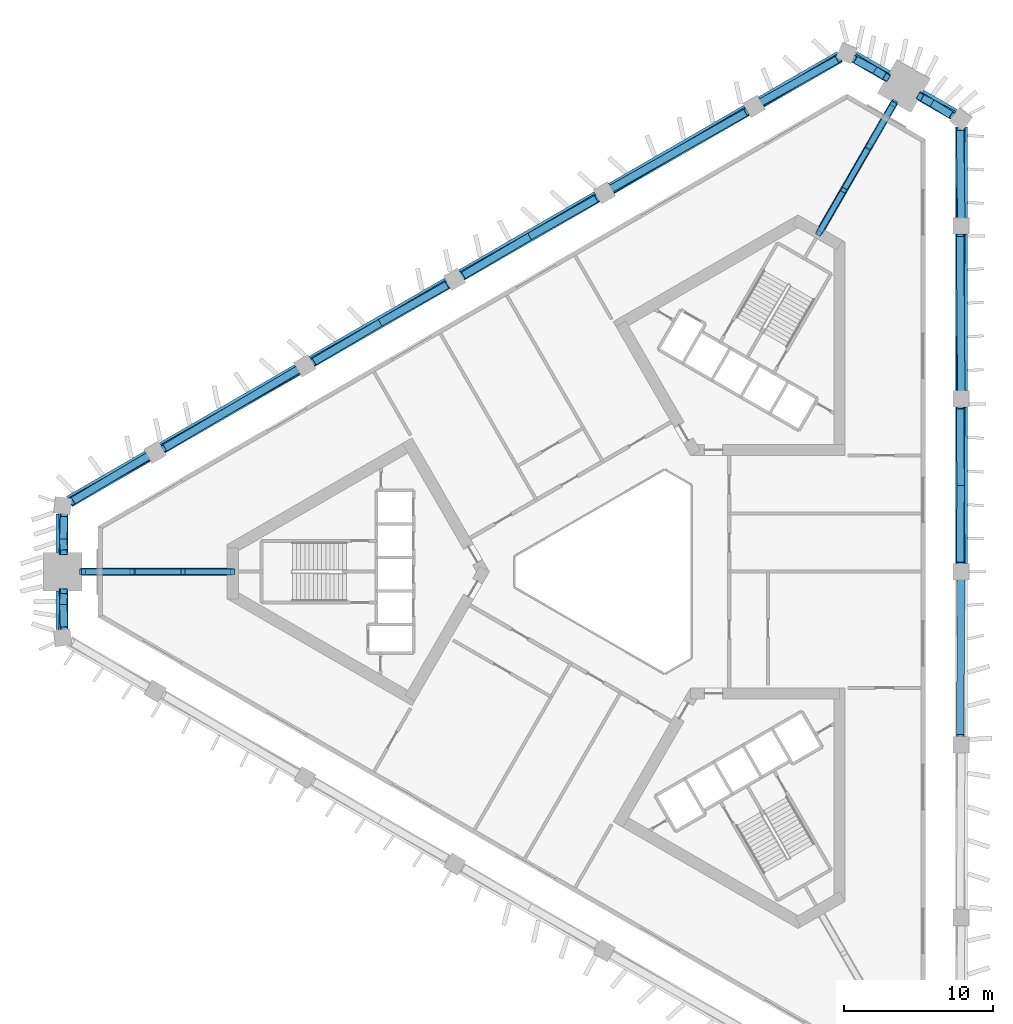
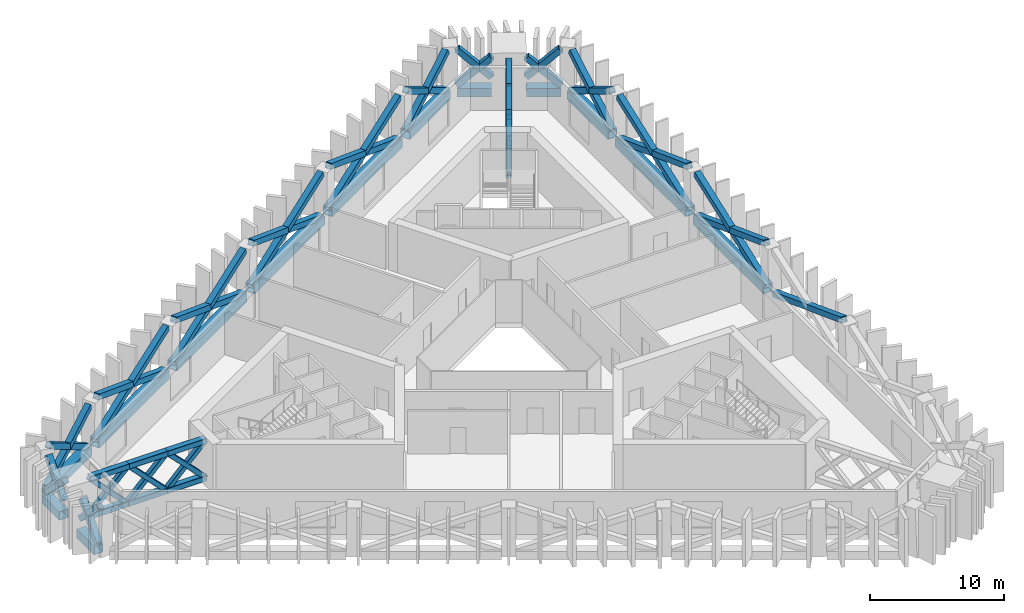
# One storey, part 2 of 9: 64 members.
"""IFC4 building model written with IfcOpenShell, lengths in metres."""

import ifcopenshell
import ifcopenshell.guid

model = None  # the IFC model being written
_history = None  # IfcOwnerHistory: only IFC2X3 demands one
_inside = {}  # id of a spatial element -> (the spatial element, [elements in it])
_under = {}  # id of a project, library or spatial element -> (it, [spatial elements below it])
_declared = {}  # id of a project -> (the project, [libraries it declares])
_typed = {}  # id of a type object -> (the type object, [elements of that type])
_made_of = {}  # id of a material, layer set ... -> (it, [elements and type objects made of it])


def new_model(schema):
    """Start an empty IFC model of exactly this schema.

    Asked for "IFC4X3", IfcOpenShell would pick the latest addendum, in which some entities
    have other attributes; the version numbers below select the first issue.
    IFC2X3 requires an IfcOwnerHistory on every rooted entity: one is made here for all.
    """
    global model, _history
    if schema == "IFC4X3":
        model = ifcopenshell.file(schema_version=(4, 3, 0, 0))
    else:
        model = ifcopenshell.file(schema=schema)
    _inside.clear()
    _under.clear()
    _declared.clear()
    _typed.clear()
    _made_of.clear()
    _history = None
    if model.schema == "IFC2X3":
        org = make("IfcOrganization", Name="unknown")
        user = make(
            "IfcPersonAndOrganization",
            ThePerson=make("IfcPerson", FamilyName="unknown"),
            TheOrganization=org,
        )
        app = make(
            "IfcApplication",
            ApplicationDeveloper=org,
            Version="unknown",
            ApplicationFullName="unknown",
            ApplicationIdentifier="unknown",
        )
        _history = make(
            "IfcOwnerHistory",
            OwningUser=user,
            OwningApplication=app,
            ChangeAction="ADDED",
            CreationDate=0,
        )
    return model


def make(cls, **values):
    """One entity of the class cls with the attributes given. An attribute that is None is left unset."""
    return model.create_entity(
        cls, **{name: value for name, value in values.items() if value is not None}
    )


def rooted(cls, **values):
    """An entity with a GlobalId (a new one), such as an element, a storey or a relation."""
    return make(cls, GlobalId=ifcopenshell.guid.new(), OwnerHistory=_history, **values)


def si_unit(unit_type, name, prefix=None):
    """IfcSIUnit, for example si_unit("LENGTHUNIT", "METRE", prefix="MILLI")."""
    return make("IfcSIUnit", UnitType=unit_type, Prefix=prefix, Name=name)


def assignment(units):
    """IfcUnitAssignment: the units of a project."""
    return None if units is None else make("IfcUnitAssignment", Units=units)


def point(xyz):
    """IfcCartesianPoint."""
    return None if xyz is None else make("IfcCartesianPoint", Coordinates=xyz)


def direction(xyz):
    """IfcDirection."""
    return None if xyz is None else make("IfcDirection", DirectionRatios=xyz)


def frame(location, z_axis=None, x_axis=None):
    """IfcAxis2Placement3D, a coordinate frame: its origin and axes. An axis left out is left unset."""
    return make(
        "IfcAxis2Placement3D",
        Location=point(location),
        Axis=direction(z_axis),
        RefDirection=direction(x_axis),
    )


def frame_2d(location, x_axis=None):
    """IfcAxis2Placement2D, a coordinate frame in the plane: its origin and x axis."""
    return make(
        "IfcAxis2Placement2D", Location=point(location), RefDirection=direction(x_axis)
    )


def origin():
    """The frame at (0, 0, 0) with its axes left unset."""
    return frame((0.0, 0.0, 0.0))


def origin_2d():
    """The frame at (0, 0) in the plane with its x axis left unset."""
    return frame_2d((0.0, 0.0))


def place(relative_to, where):
    """IfcLocalPlacement: puts the frame where relative to a parent placement (None: the world)."""
    return make(
        "IfcLocalPlacement", PlacementRelTo=relative_to, RelativePlacement=where
    )


def context(
    kind, dimensions, precision=None, world=None, true_north=None, identifier=None
):
    """IfcGeometricRepresentationContext, for example the 3D "Model" context."""
    return make(
        "IfcGeometricRepresentationContext",
        ContextIdentifier=identifier,
        ContextType=kind,
        CoordinateSpaceDimension=dimensions,
        Precision=precision,
        WorldCoordinateSystem=world,
        TrueNorth=true_north,
    )


def subcontext(parent, identifier, kind, view, scale=None):
    """IfcGeometricRepresentationSubContext, for example "Body" below "Model"."""
    return make(
        "IfcGeometricRepresentationSubContext",
        ContextIdentifier=identifier,
        ContextType=kind,
        ParentContext=parent,
        TargetScale=scale,
        TargetView=view,
    )


def project(units=None, contexts=None):
    """IfcProject with its units and contexts."""
    return rooted(
        "IfcProject",
        Name="project",
        RepresentationContexts=contexts,
        UnitsInContext=assignment(units),
    )


def spatial(cls, under=None, at=None, **own):
    """A site, building, storey or space (cls), placed at a placement, below another one or the project."""
    s = rooted(cls, ObjectPlacement=at, **own)
    if under is not None:
        _under.setdefault(under.id(), (under, []))[1].append(s)
    return s


def profile(cls, at=None, kind="AREA", **sizes):
    """A parametric profile (cls). Its sizes go by their IFC names, for example OverallWidth=200.0."""
    return make(cls, ProfileType=kind, Position=at, **sizes)


def hollow_rectangle(**sizes):
    """IfcRectangleHollowProfileDef."""
    return profile("IfcRectangleHollowProfileDef", **sizes)


def extrude(swept, where, along, depth):
    """IfcExtrudedAreaSolid: the profile swept, set in the frame where, extruded along a direction by depth."""
    return make(
        "IfcExtrudedAreaSolid",
        SweptArea=swept,
        Position=where,
        ExtrudedDirection=direction(along),
        Depth=depth,
    )


def shape(context_of_items, identifier, shape_type, items):
    """IfcShapeRepresentation: the items that make up one representation, for example the "Body"."""
    return make(
        "IfcShapeRepresentation",
        ContextOfItems=context_of_items,
        RepresentationIdentifier=identifier,
        RepresentationType=shape_type,
        Items=items,
    )


def material(Name=None, Category=None):
    """IfcMaterial."""
    return make("IfcMaterial", Name=Name, Category=Category)


def material_profile(
    of_material, cross_section, Name=None, Category=None, Priority=None
):
    """IfcMaterialProfile: a cross section and its material."""
    return make(
        "IfcMaterialProfile",
        Name=Name,
        Material=of_material,
        Profile=cross_section,
        Priority=Priority,
        Category=Category,
    )


def profile_set(profiles, Name=None, composite=None):
    """IfcMaterialProfileSet."""
    return make(
        "IfcMaterialProfileSet",
        Name=Name,
        MaterialProfiles=profiles,
        CompositeProfile=composite,
    )


def made_of(thing, what):
    """Note that an element or type object is made of a material, layer set ...; save() writes the relation."""
    if what is not None:
        _made_of.setdefault(what.id(), (what, []))[1].append(thing)
    return thing


def type_object(cls, material=None, **own):
    """A type object (cls), such as IfcWallType, which elements share."""
    return made_of(rooted(cls, **own), material)


def element(
    cls,
    number,
    at=None,
    inside=None,
    cuts=None,
    type_object=None,
    material=None,
    context=None,
    identifier="Body",
    shape_type=None,
    held_by="IfcProductDefinitionShape",
    body=None,
    shapes=None,
    **own,
):
    """One element of the class cls, such as IfcWall. Its Tag is "e" and its number.

    at: its placement. inside: the storey or other place that contains it. cuts: it is an
    opening in that element (IfcRelVoidsElement). A single representation is given by context,
    identifier, shape_type and body (its items); several are given by shapes. held_by: the class
    of the entity that holds the representations. save() writes the other relations.
    """
    e = rooted(cls, Tag="e%d" % number, ObjectPlacement=at, **own)
    if body is not None:
        shapes = [shape(context, identifier, shape_type, body)]
    if shapes is not None:
        e.Representation = make(held_by, Representations=shapes)
    if inside is not None:
        _inside.setdefault(inside.id(), (inside, []))[1].append(e)
    if cuts is not None:
        rooted(
            "IfcRelVoidsElement", RelatingBuildingElement=cuts, RelatedOpeningElement=e
        )
    if type_object is not None:
        _typed.setdefault(type_object.id(), (type_object, []))[1].append(e)
    return made_of(e, material)


def aggregate(whole, parts):
    """IfcRelAggregates: a whole, such as a stair, and the parts it consists of."""
    return rooted("IfcRelAggregates", RelatingObject=whole, RelatedObjects=parts)


def save(model, path):
    """Write the relations noted so far, then the file.

    IfcRelAggregates (storeys below a building ...), IfcRelContainedInSpatialStructure (elements
    in a storey), IfcRelDefinesByType, IfcRelAssociatesMaterial and IfcRelDeclares: one each for
    every whole, place, type object, material and project.
    """
    for whole, parts in _under.values():
        aggregate(whole, parts)
    for where, things in _inside.values():
        rooted(
            "IfcRelContainedInSpatialStructure",
            RelatedElements=things,
            RelatingStructure=where,
        )
    for kind, things in _typed.values():
        rooted("IfcRelDefinesByType", RelatedObjects=things, RelatingType=kind)
    for what, things in _made_of.values():
        rooted("IfcRelAssociatesMaterial", RelatedObjects=things, RelatingMaterial=what)
    for by, libraries in _declared.values():
        rooted("IfcRelDeclares", RelatingContext=by, RelatedDefinitions=libraries)
    model.write(path)


model = new_model("IFC4")

# Units and contexts
model_context = context("Model", 3, precision=1e-05, world=origin(), true_north=direction((0.0, 1.0)))
body_context = subcontext(model_context, "Body", "Model", "MODEL_VIEW")
ifc_project = project(units=[si_unit("LENGTHUNIT", "METRE"), si_unit("AREAUNIT", "SQUARE_METRE"), si_unit("VOLUMEUNIT", "CUBIC_METRE"), si_unit("PLANEANGLEUNIT", "RADIAN"), si_unit("MASSUNIT", "GRAM", prefix="KILO")], contexts=[model_context])

# Site, building, storey
site_placement = place(None, origin())
site = spatial("IfcSite", under=ifc_project, at=site_placement, CompositionType="ELEMENT")
building_placement = place(site_placement, origin())
building = spatial("IfcBuilding", under=site, at=building_placement, Name="Jabali Bay Hotel Tower and Convention Centre", CompositionType="ELEMENT")
storey_placement = place(building_placement, frame((0.0, 0.0, 98.0)))
storey = spatial("IfcBuildingStorey", under=building, at=storey_placement, Name="L23", CompositionType="ELEMENT", Elevation=98.0)

# Members
ifc_material = material(Name="Steel Q420GJC", Category="steel")
ifc_material_profile_1 = material_profile(ifc_material, hollow_rectangle(XDim=0.5, YDim=0.5, WallThickness=0.030029296875, at=origin_2d()), Name="Belt brace 500x500x30")
ifc_profile_set_1 = profile_set([ifc_material_profile_1], Name="Steel Q420GJC")
member_type_1 = type_object("IfcMemberType", Name="Belt brace 500x500x30", PredefinedType="BRACE", material=ifc_profile_set_1)
member_1_placement = place(storey_placement, frame((92.689697265625, 113.238037109375, 1.293212890625), z_axis=(-0.626019317748, 0.332719916783, 0.705263972412), x_axis=(-0.46931709896, -0.883029705403, 0.0)))
element("IfcMember", 1, at=member_1_placement, inside=storey, type_object=member_type_1, Name="Belt brace T2 M1-V2 x1", PredefinedType="BRACE", context=body_context, shape_type="SweptSolid", body=[
    extrude(hollow_rectangle(XDim=0.5, YDim=0.5, WallThickness=0.030029296875, at=origin_2d()), origin(), (0.0, 0.0, 1.0), 3.629150390625),
])
member_2_placement = place(storey_placement, frame((90.464599609375, 114.55322265625, 0.54541015625), z_axis=(0.602075132587, -0.376271823928, 0.704219460992), x_axis=(0.529973483014, 0.848014214092, 0.0)))
element("IfcMember", 2, at=member_2_placement, inside=storey, type_object=member_type_1, Name="Belt brace T2 M1-V2 x2", PredefinedType="BRACE", context=body_context, shape_type="SweptSolid", body=[
    extrude(hollow_rectangle(XDim=0.5, YDim=0.5, WallThickness=0.030029296875, at=origin_2d()), origin(), (0.0, 0.0, 1.0), 3.642578125),
])
member_3_placement = place(storey_placement, frame((89.525390625, 114.563720703125, 0.33251953125), z_axis=(-0.735778033466, -0.436846008192, 0.517490338649), x_axis=(0.510519573034, -0.859866132342, 0.0)))
element("IfcMember", 3, at=member_3_placement, inside=storey, type_object=member_type_1, Name="Belt brace T2 V2-F1.1 x1", PredefinedType="BRACE", context=body_context, shape_type="SweptSolid", body=[
    extrude(hollow_rectangle(XDim=0.5, YDim=0.5, WallThickness=0.030029296875, at=origin_2d()), origin(), (0.0, 0.0, 1.0), 7.21728515625),
])
member_4_placement = place(storey_placement, frame((84.2587890625, 111.52294921875, 0.343017578125), z_axis=(0.74009327792, 0.414943474157, 0.529229490138), x_axis=(-0.489044052531, 0.872259086903, 0.0)))
element("IfcMember", 4, at=member_4_placement, inside=storey, type_object=member_type_1, Name="Belt brace T2 V2-F1.1 x2", PredefinedType="BRACE", context=body_context, shape_type="SweptSolid", body=[
    extrude(hollow_rectangle(XDim=0.5, YDim=0.5, WallThickness=0.030029296875, at=origin_2d()), origin(), (0.0, 0.0, 1.0), 7.017578125),
])
member_5_placement = place(storey_placement, frame((83.3046875, 110.975341796875, 0.20751953125), z_axis=(-0.806685208431, -0.473976220589, 0.352995066274), x_axis=(0.506587711798, -0.862188430829, 0.0)))
element("IfcMember", 5, at=member_5_placement, inside=storey, type_object=member_type_1, Name="Belt brace T2 F1.1-F1.2 x1", PredefinedType="BRACE", context=body_context, shape_type="SweptSolid", body=[
    extrude(hollow_rectangle(XDim=0.5, YDim=0.5, WallThickness=0.030029296875, at=origin_2d()), origin(), (0.0, 0.0, 1.0), 11.288818359375),
])
member_6_placement = place(storey_placement, frame((74.198486328125, 105.7177734375, 0.2099609375), z_axis=(0.812616399817, 0.460834976999, 0.356771230234), x_axis=(-0.49329804104, 0.869860358164, 0.0)))
element("IfcMember", 6, at=member_6_placement, inside=storey, type_object=member_type_1, Name="Belt brace T2 F1.1-F1.2 x2", PredefinedType="BRACE", context=body_context, shape_type="SweptSolid", body=[
    extrude(hollow_rectangle(XDim=0.5, YDim=0.5, WallThickness=0.030029296875, at=origin_2d()), origin(), (0.0, 0.0, 1.0), 11.155517578125),
])
member_7_placement = place(storey_placement, frame((73.24609375, 105.167724609375, 0.208251953125), z_axis=(-0.806267320447, -0.473751257093, 0.354249565111), x_axis=(0.5066040639, -0.862178822774, 0.0)))
element("IfcMember", 7, at=member_7_placement, inside=storey, type_object=member_type_1, Name="Belt brace T2 F1.2-F1.3 x1", PredefinedType="BRACE", context=body_context, shape_type="SweptSolid", body=[
    extrude(hollow_rectangle(XDim=0.5, YDim=0.5, WallThickness=0.030029296875, at=origin_2d()), origin(), (0.0, 0.0, 1.0), 11.24462890625),
])
for number, where, z_axis, x_axis, name in (
    (8, (64.139892578125, 99.910400390625, 0.209228515625), (0.813016816148, 0.461102627878, 0.355510932637), (-0.49333088762, 0.869841730041, 0.0), "Belt brace T2 F1.2-F1.3 x2"),
    (9, (63.187255859375, 99.3603515625, 0.209228515625), (-0.805835633176, -0.473543964919, 0.355506744792), (0.506640934774, -0.86215715691, 0.0), "Belt brace T2 F1.3-F1.4 x1"),
):
    element("IfcMember", number, at=place(storey_placement, frame(where, z_axis=z_axis, x_axis=x_axis)), inside=storey, type_object=member_type_1, Name=name, PredefinedType="BRACE", context=body_context, shape_type="SweptSolid", body=[
        extrude(hollow_rectangle(XDim=0.5, YDim=0.5, WallThickness=0.030029296875, at=origin_2d()), origin(), (0.0, 0.0, 1.0), 11.199951171875),
    ])
member_8_placement = place(storey_placement, frame((54.0810546875, 94.10302734375, 0.208251953125), z_axis=(0.813419956754, 0.461359189117, 0.354253683921), x_axis=(-0.493353477364, 0.869828917876, 0.0)))
element("IfcMember", 10, at=member_8_placement, inside=storey, type_object=member_type_1, Name="Belt brace T2 F1.3-F1.4 x2", PredefinedType="BRACE", context=body_context, shape_type="SweptSolid", body=[
    extrude(hollow_rectangle(XDim=0.5, YDim=0.5, WallThickness=0.030029296875, at=origin_2d()), origin(), (0.0, 0.0, 1.0), 11.244384765625),
])
member_9_placement = place(storey_placement, frame((53.12841796875, 93.552978515625, 0.2099609375), z_axis=(-0.805399021155, -0.473334149331, 0.356773317107), x_axis=(0.506678137464, -0.862135293916, 0.0)))
element("IfcMember", 11, at=member_9_placement, inside=storey, type_object=member_type_1, Name="Belt brace T2 F1.4-F1.5 x1", PredefinedType="BRACE", context=body_context, shape_type="SweptSolid", body=[
    extrude(hollow_rectangle(XDim=0.5, YDim=0.5, WallThickness=0.030029296875, at=origin_2d()), origin(), (0.0, 0.0, 1.0), 11.155517578125),
])
member_10_placement = place(storey_placement, frame((44.022216796875, 88.29541015625, 0.20751953125), z_axis=(0.813809243817, 0.461641565732, 0.352989489173), x_axis=(-0.49340327292, 0.869800672724, 0.0)))
element("IfcMember", 12, at=member_10_placement, inside=storey, type_object=member_type_1, Name="Belt brace T2 F1.4-F1.5 x2", PredefinedType="BRACE", context=body_context, shape_type="SweptSolid", body=[
    extrude(hollow_rectangle(XDim=0.5, YDim=0.5, WallThickness=0.030029296875, at=origin_2d()), origin(), (0.0, 0.0, 1.0), 11.288818359375),
])
member_11_placement = place(storey_placement, frame((43.071044921875, 87.7431640625, 0.343017578125), z_axis=(-0.729399028165, -0.433478579173, 0.529219594412), x_axis=(0.510885438938, -0.859648805199, 0.0)))
element("IfcMember", 13, at=member_11_placement, inside=storey, type_object=member_type_1, Name="Belt brace T2 F1.5-V3 x1", PredefinedType="BRACE", context=body_context, shape_type="SweptSolid", body=[
    extrude(hollow_rectangle(XDim=0.5, YDim=0.5, WallThickness=0.030029296875, at=origin_2d()), origin(), (0.0, 0.0, 1.0), 7.017578125),
])
member_12_placement = place(storey_placement, frame((37.80419921875, 84.70263671875, 0.33251953125), z_axis=(0.746228180201, 0.418746991963, 0.517488608373), x_axis=(-0.489367580593, 0.872077617569, 0.0)))
element("IfcMember", 14, at=member_12_placement, inside=storey, type_object=member_type_1, Name="Belt brace T2 F1.5-V3 x2", PredefinedType="BRACE", context=body_context, shape_type="SweptSolid", body=[
    extrude(hollow_rectangle(XDim=0.5, YDim=0.5, WallThickness=0.030029296875, at=origin_2d()), origin(), (0.0, 0.0, 1.0), 7.21728515625),
])
member_13_placement = place(storey_placement, frame((37.34375, 83.8837890625, 0.54541015625), z_axis=(0.024799432005, -0.709531857297, 0.704236843436), x_axis=(0.999389744102, 0.034930493606, 0.0)))
element("IfcMember", 15, at=member_13_placement, inside=storey, type_object=member_type_1, Name="Belt brace T2 V3-M0 x1", PredefinedType="BRACE", context=body_context, shape_type="SweptSolid", body=[
    extrude(hollow_rectangle(XDim=0.5, YDim=0.5, WallThickness=0.030029296875, at=origin_2d()), origin(), (0.0, 0.0, 1.0), 3.642578125),
])
for number, where, z_axis, x_axis, name in (
    (16, (37.3701171875, 81.29931640625, 1.293212890625), (0.024823117721, 0.708501560525, 0.705272537081), (-0.999386801012, 0.035014596427, 0.0), "Belt brace T2 V3-M0 x2"),
    (17, (37.3701171875, 78.70068359375, 1.293212890625), (0.024823117721, -0.708501560525, 0.705272537081), (0.999386801012, 0.035014596427, 0.0), "Belt brace T2 M0-V4 x1"),
):
    element("IfcMember", number, at=place(storey_placement, frame(where, z_axis=z_axis, x_axis=x_axis)), inside=storey, type_object=member_type_1, Name=name, PredefinedType="BRACE", context=body_context, shape_type="SweptSolid", body=[
        extrude(hollow_rectangle(XDim=0.5, YDim=0.5, WallThickness=0.030029296875, at=origin_2d()), origin(), (0.0, 0.0, 1.0), 3.629150390625),
    ])
member_14_placement = place(storey_placement, frame((37.34375, 76.1162109375, 0.54541015625), z_axis=(0.024799432005, 0.709531857297, 0.704236843436), x_axis=(-0.999389744102, 0.034930493606, 0.0)))
element("IfcMember", 18, at=member_14_placement, inside=storey, type_object=member_type_1, Name="Belt brace T2 M0-V4 x2", PredefinedType="BRACE", context=body_context, shape_type="SweptSolid", body=[
    extrude(hollow_rectangle(XDim=0.5, YDim=0.5, WallThickness=0.030029296875, at=origin_2d()), origin(), (0.0, 0.0, 1.0), 3.642578125),
])
for number, where, z_axis, x_axis, name in (
    (19, (97.6728515625, 79.449951171875, 0.209228515625), (-0.00717163959, -0.934645564439, 0.355508419676), (0.99997056298, -0.007672885585, 0.0), "Belt brace T2 F0.2-F0.3 x2"),
    (20, (97.6728515625, 80.550048828125, 0.209228515625), (-0.00717163959, 0.934645564439, 0.355508419676), (-0.99997056298, -0.007672885585, 0.0), "Belt brace T2 F0.3-F0.4 x1"),
):
    element("IfcMember", number, at=place(storey_placement, frame(where, z_axis=z_axis, x_axis=x_axis)), inside=storey, type_object=member_type_1, Name=name, PredefinedType="BRACE", context=body_context, shape_type="SweptSolid", body=[
        extrude(hollow_rectangle(XDim=0.5, YDim=0.5, WallThickness=0.030029296875, at=origin_2d()), origin(), (0.0, 0.0, 1.0), 11.199951171875),
    ])
member_15_placement = place(storey_placement, frame((97.6728515625, 91.06494140625, 0.208251953125), z_axis=(-0.007143302858, -0.935121309423, 0.354255712567), x_axis=(0.999970824842, -0.007638682147, 0.0)))
element("IfcMember", 21, at=member_15_placement, inside=storey, type_object=member_type_1, Name="Belt brace T2 F0.3-F0.4 x2", PredefinedType="BRACE", context=body_context, shape_type="SweptSolid", body=[
    extrude(hollow_rectangle(XDim=0.5, YDim=0.5, WallThickness=0.030029296875, at=origin_2d()), origin(), (0.0, 0.0, 1.0), 11.244384765625),
])
member_16_placement = place(storey_placement, frame((97.6728515625, 92.164794921875, 0.2099609375), z_axis=(-0.007200188945, 0.934164331715, 0.356770456498), x_axis=(-0.999970297577, -0.007707396694, 0.0)))
element("IfcMember", 22, at=member_16_placement, inside=storey, type_object=member_type_1, Name="Belt brace T2 F0.4-F0.5 x1", PredefinedType="BRACE", context=body_context, shape_type="SweptSolid", body=[
    extrude(hollow_rectangle(XDim=0.5, YDim=0.5, WallThickness=0.030029296875, at=origin_2d()), origin(), (0.0, 0.0, 1.0), 11.155517578125),
])
member_17_placement = place(storey_placement, frame((97.6728515625, 102.6796875, 0.20751953125), z_axis=(-0.007115230863, -0.935598791364, 0.352993307428), x_axis=(0.999971083225, -0.007604782284, 0.0)))
element("IfcMember", 23, at=member_17_placement, inside=storey, type_object=member_type_1, Name="Belt brace T2 F0.4-F0.5 x2", PredefinedType="BRACE", context=body_context, shape_type="SweptSolid", body=[
    extrude(hollow_rectangle(XDim=0.5, YDim=0.5, WallThickness=0.030029296875, at=origin_2d()), origin(), (0.0, 0.0, 1.0), 11.288818359375),
])
member_18_placement = place(storey_placement, frame((97.670166015625, 103.77978515625, 0.343017578125), z_axis=(-0.010680441844, 0.848416727185, 0.529221111819), x_axis=(-0.999920772056, -0.012587676919, 0.0)))
element("IfcMember", 24, at=member_18_placement, inside=storey, type_object=member_type_1, Name="Belt brace T2 F0.5-V1 x1", PredefinedType="BRACE", context=body_context, shape_type="SweptSolid", body=[
    extrude(hollow_rectangle(XDim=0.5, YDim=0.5, WallThickness=0.030029296875, at=origin_2d()), origin(), (0.0, 0.0, 1.0), 7.017578125),
])
member_19_placement = place(storey_placement, frame((97.67041015625, 109.861328125, 0.33251953125), z_axis=(-0.010452312266, -0.855635076937, 0.51747402281), x_axis=(0.999925394818, -0.012214941569, 0.0)))
element("IfcMember", 25, at=member_19_placement, inside=storey, type_object=member_type_1, Name="Belt brace T2 F0.5-V1 x2", PredefinedType="BRACE", context=body_context, shape_type="SweptSolid", body=[
    extrude(hollow_rectangle(XDim=0.5, YDim=0.5, WallThickness=0.030029296875, at=origin_2d()), origin(), (0.0, 0.0, 1.0), 7.217529296875),
])
member_20_placement = place(storey_placement, frame((97.19140625, 110.66943359375, 0.54541015625), z_axis=(-0.626890697319, 0.33325142169, 0.704238271863), x_axis=(-0.469392197542, -0.882989787532, 0.0)))
element("IfcMember", 26, at=member_20_placement, inside=storey, type_object=member_type_1, Name="Belt brace T2 V1-M1 x1", PredefinedType="BRACE", context=body_context, shape_type="SweptSolid", body=[
    extrude(hollow_rectangle(XDim=0.5, YDim=0.5, WallThickness=0.030029296875, at=origin_2d()), origin(), (0.0, 0.0, 1.0), 3.642578125),
])
member_21_placement = place(storey_placement, frame((94.940185546875, 111.938720703125, 1.293212890625), z_axis=(0.601141554318, -0.375780743333, 0.705278430559), x_axis=(0.530067175291, 0.847955653132, 0.0)))
element("IfcMember", 27, at=member_21_placement, inside=storey, type_object=member_type_1, Name="Belt brace T2 V1-M1 x2", PredefinedType="BRACE", context=body_context, shape_type="SweptSolid", body=[
    extrude(hollow_rectangle(XDim=0.5, YDim=0.5, WallThickness=0.030029296875, at=origin_2d()), origin(), (0.0, 0.0, 1.0), 3.629150390625),
])
ifc_material_profile_2 = material_profile(ifc_material, hollow_rectangle(XDim=0.800048828125, YDim=0.800048828125, WallThickness=0.0400390625, at=origin_2d()), Name="Belt chord 800x800x40")
ifc_profile_set_2 = profile_set([ifc_material_profile_2], Name="Steel Q420GJC")
member_type_2 = type_object("IfcMemberType", Name="Belt chord 800x800x40", PredefinedType="CHORD", material=ifc_profile_set_2)
member_22_placement = place(storey_placement, frame((92.7119140625, 113.27783203125, 0.0), z_axis=(-0.866018769109, 0.500011491418, 0.0), x_axis=(-0.500011491418, -0.866018769109, 0.0)))
element("IfcMember", 28, at=member_22_placement, inside=storey, type_object=member_type_2, Name="Belt chord T2 M1-V2", PredefinedType="CHORD", context=body_context, shape_type="SweptSolid", body=[
    extrude(hollow_rectangle(XDim=0.800048828125, YDim=0.800048828125, WallThickness=0.0400390625, at=origin_2d()), origin(), (0.0, 0.0, 1.0), 2.58349609375),
])
member_23_placement = place(storey_placement, frame((89.52197265625, 114.569580078125, 0.0), z_axis=(-0.866018450419, -0.500012043388, 0.0), x_axis=(0.500012043388, -0.866018450419, 0.0)))
element("IfcMember", 29, at=member_23_placement, inside=storey, type_object=member_type_2, Name="Belt chord T2 V2-F1.1", PredefinedType="CHORD", context=body_context, shape_type="SweptSolid", body=[
    extrude(hollow_rectangle(XDim=0.800048828125, YDim=0.800048828125, WallThickness=0.0400390625, at=origin_2d()), origin(), (0.0, 0.0, 1.0), 6.081298828125),
])
for number, where, z_axis, x_axis, name in (
    (30, (83.302734375, 110.978759765625, 0.0), (-0.866031312339, -0.499989765943, 0.0), (0.499989765943, -0.866031312339, 0.0), "Belt chord T2 F1.1-F1.2"),
    (31, (73.243896484375, 105.17138671875, 0.0), (-0.866031312339, -0.499989765943, 0.0), (0.499989765943, -0.866031312339, 0.0), "Belt chord T2 F1.2-F1.3"),
    (32, (63.18505859375, 99.364013671875, 0.0), (-0.866021258461, -0.500007179843, 0.0), (0.500007179843, -0.866021258461, 0.0), "Belt chord T2 F1.3-F1.4"),
    (33, (53.12646484375, 93.556640625, 0.0), (-0.866021258461, -0.500007179843, 0.0), (0.500007179843, -0.866021258461, 0.0), "Belt chord T2 F1.4-F1.5"),
):
    element("IfcMember", number, at=place(storey_placement, frame(where, z_axis=z_axis, x_axis=x_axis)), inside=storey, type_object=member_type_2, Name=name, PredefinedType="CHORD", context=body_context, shape_type="SweptSolid", body=[
        extrude(hollow_rectangle(XDim=0.800048828125, YDim=0.800048828125, WallThickness=0.0400390625, at=origin_2d()), origin(), (0.0, 0.0, 1.0), 10.514892578125),
    ])
member_24_placement = place(storey_placement, frame((43.067626953125, 87.7490234375, 0.0), z_axis=(-0.866045869354, -0.499964550917, 0.0), x_axis=(0.499964550917, -0.866045869354, 0.0)))
element("IfcMember", 34, at=member_24_placement, inside=storey, type_object=member_type_2, Name="Belt chord T2 F1.5-V3", PredefinedType="CHORD", context=body_context, shape_type="SweptSolid", body=[
    extrude(hollow_rectangle(XDim=0.800048828125, YDim=0.800048828125, WallThickness=0.0400390625, at=origin_2d()), origin(), (0.0, 0.0, 1.0), 6.08154296875),
])
for number, where, z_axis, x_axis, name in (
    (35, (37.324462890625, 83.88330078125, 0.0), (0.0, -1.0, 0.0), (1.0, 0.0, 0.0), "Belt chord T2 V3-M0"),
    (36, (37.324462890625, 78.699951171875, 0.0), (0.0, -1.0, 0.0), (1.0, 0.0, 0.0), "Belt chord T2 M0-V4"),
):
    element("IfcMember", number, at=place(storey_placement, frame(where, z_axis=z_axis, x_axis=x_axis)), inside=storey, type_object=member_type_2, Name=name, PredefinedType="CHORD", context=body_context, shape_type="SweptSolid", body=[
        extrude(hollow_rectangle(XDim=0.800048828125, YDim=0.800048828125, WallThickness=0.0400390625, at=origin_2d()), origin(), (0.0, 0.0, 1.0), 2.583251953125),
    ])
for number, where, z_axis, x_axis, name in (
    (37, (97.67724609375, 80.550048828125, 0.0), (0.0, 1.0, 0.0), (-1.0, 0.0, 0.0), "Belt chord T2 F0.3-F0.4"),
    (38, (97.67724609375, 92.164794921875, 0.0), (0.0, 1.0, 0.0), (-1.0, 0.0, 0.0), "Belt chord T2 F0.4-F0.5"),
):
    element("IfcMember", number, at=place(storey_placement, frame(where, z_axis=z_axis, x_axis=x_axis)), inside=storey, type_object=member_type_2, Name=name, PredefinedType="CHORD", context=body_context, shape_type="SweptSolid", body=[
        extrude(hollow_rectangle(XDim=0.800048828125, YDim=0.800048828125, WallThickness=0.0400390625, at=origin_2d()), origin(), (0.0, 0.0, 1.0), 10.514892578125),
    ])
member_25_placement = place(storey_placement, frame((97.67724609375, 103.77978515625, 0.0), z_axis=(0.0, 1.0, 0.0), x_axis=(-1.0, 0.0, 0.0)))
element("IfcMember", 39, at=member_25_placement, inside=storey, type_object=member_type_2, Name="Belt chord T2 F0.5-V1", PredefinedType="CHORD", context=body_context, shape_type="SweptSolid", body=[
    extrude(hollow_rectangle(XDim=0.800048828125, YDim=0.800048828125, WallThickness=0.0400390625, at=origin_2d()), origin(), (0.0, 0.0, 1.0), 6.081298828125),
])
member_26_placement = place(storey_placement, frame((97.200927734375, 110.686279296875, 0.0), z_axis=(-0.866059689451, 0.499940610781, 0.0), x_axis=(-0.499940610781, -0.866059689451, 0.0)))
element("IfcMember", 40, at=member_26_placement, inside=storey, type_object=member_type_2, Name="Belt chord T2 V1-M1", PredefinedType="CHORD", context=body_context, shape_type="SweptSolid", body=[
    extrude(hollow_rectangle(XDim=0.800048828125, YDim=0.800048828125, WallThickness=0.0400390625, at=origin_2d()), origin(), (0.0, 0.0, 1.0), 2.583251953125),
])
ifc_material_profile_3 = material_profile(ifc_material, hollow_rectangle(XDim=0.39990234375, YDim=0.39990234375, WallThickness=0.011962890625, InnerFilletRadius=0.01806640625, OuterFilletRadius=0.030029296875, at=origin_2d()), Name="Outrigger brace 400x400x12")
ifc_profile_set_3 = profile_set([ifc_material_profile_3], Name="Steel Q420GJC")
member_type_3 = type_object("IfcMemberType", Name="Outrigger brace 400x400x12", PredefinedType="BRACE", material=ifc_profile_set_3)
member_27_placement = place(storey_placement, frame((48.77197265625, 80.0, 0.25), z_axis=(-0.700751783363, 0.0, 0.713405171073), x_axis=(0.0, -1.0, 0.0)))
element("IfcMember", 41, at=member_27_placement, inside=storey, type_object=member_type_3, Name="Outrigger brace T2 1.1x1", PredefinedType="BRACE", context=body_context, shape_type="SweptSolid", body=[
    extrude(hollow_rectangle(XDim=0.39990234375, YDim=0.39990234375, WallThickness=0.011962890625, InnerFilletRadius=0.01806640625, OuterFilletRadius=0.030029296875, at=origin_2d()), origin(), (0.0, 0.0, 1.0), 4.765625),
])
member_28_placement = place(storey_placement, frame((45.392333984375, 80.0, 0.25), z_axis=(0.704990129148, 0.0, 0.709217116125), x_axis=(0.0, 1.0, 0.0)))
element("IfcMember", 42, at=member_28_placement, inside=storey, type_object=member_type_3, Name="Outrigger brace T2 1.1x2", PredefinedType="BRACE", context=body_context, shape_type="SweptSolid", body=[
    extrude(hollow_rectangle(XDim=0.39990234375, YDim=0.39990234375, WallThickness=0.011962890625, InnerFilletRadius=0.01806640625, OuterFilletRadius=0.030029296875, at=origin_2d()), origin(), (0.0, 0.0, 1.0), 4.7939453125),
])
member_29_placement = place(storey_placement, frame((45.392333984375, 80.0, 0.25), z_axis=(-0.696437916013, 0.0, 0.717617049086), x_axis=(0.0, -1.0, 0.0)))
element("IfcMember", 43, at=member_29_placement, inside=storey, type_object=member_type_3, Name="Outrigger brace T2 1.2x1", PredefinedType="BRACE", context=body_context, shape_type="SweptSolid", body=[
    extrude(hollow_rectangle(XDim=0.39990234375, YDim=0.39990234375, WallThickness=0.011962890625, InnerFilletRadius=0.01806640625, OuterFilletRadius=0.030029296875, at=origin_2d()), origin(), (0.0, 0.0, 1.0), 4.73779296875),
])
member_30_placement = place(storey_placement, frame((42.012939453125, 80.0, 0.25), z_axis=(0.709129096167, 0.0, 0.705078665802), x_axis=(0.0, 1.0, 0.0)))
element("IfcMember", 44, at=member_30_placement, inside=storey, type_object=member_type_3, Name="Outrigger brace T2 1.2x2", PredefinedType="BRACE", context=body_context, shape_type="SweptSolid", body=[
    extrude(hollow_rectangle(XDim=0.39990234375, YDim=0.39990234375, WallThickness=0.011962890625, InnerFilletRadius=0.01806640625, OuterFilletRadius=0.030029296875, at=origin_2d()), origin(), (0.0, 0.0, 1.0), 4.822021484375),
])
member_31_placement = place(storey_placement, frame((42.012939453125, 80.0, 0.25), z_axis=(-0.692074212001, 0.0, 0.721826353829), x_axis=(0.0, -1.0, 0.0)))
element("IfcMember", 45, at=member_31_placement, inside=storey, type_object=member_type_3, Name="Outrigger brace T2 1.3x1", PredefinedType="BRACE", context=body_context, shape_type="SweptSolid", body=[
    extrude(hollow_rectangle(XDim=0.39990234375, YDim=0.39990234375, WallThickness=0.011962890625, InnerFilletRadius=0.01806640625, OuterFilletRadius=0.030029296875, at=origin_2d()), origin(), (0.0, 0.0, 1.0), 4.710205078125),
])
member_32_placement = place(storey_placement, frame((38.63330078125, 80.0, 0.25), z_axis=(0.713220761972, 0.0, 0.700939472916), x_axis=(0.0, 1.0, 0.0)))
element("IfcMember", 46, at=member_32_placement, inside=storey, type_object=member_type_3, Name="Outrigger brace T2 1.3x2", PredefinedType="BRACE", context=body_context, shape_type="SweptSolid", body=[
    extrude(hollow_rectangle(XDim=0.39990234375, YDim=0.39990234375, WallThickness=0.011962890625, InnerFilletRadius=0.01806640625, OuterFilletRadius=0.030029296875, at=origin_2d()), origin(), (0.0, 0.0, 1.0), 4.8505859375),
])
member_33_placement = place(storey_placement, frame((88.114013671875, 102.714111328125, 0.25), z_axis=(0.350391405686, 0.606884061865, 0.713384607541), x_axis=(-0.866021245731, 0.500007201891, 0.0)))
element("IfcMember", 47, at=member_33_placement, inside=storey, type_object=member_type_3, Name="Outrigger brace T2 2.1x1", PredefinedType="BRACE", context=body_context, shape_type="SweptSolid", body=[
    extrude(hollow_rectangle(XDim=0.39990234375, YDim=0.39990234375, WallThickness=0.011962890625, InnerFilletRadius=0.01806640625, OuterFilletRadius=0.030029296875, at=origin_2d()), origin(), (0.0, 0.0, 1.0), 4.765869140625),
])
member_34_placement = place(storey_placement, frame((89.8037109375, 105.640869140625, 0.25), z_axis=(-0.352477035068, -0.610532393642, 0.709232074897), x_axis=(0.86603400694, -0.499985098601, 0.0)))
element("IfcMember", 48, at=member_34_placement, inside=storey, type_object=member_type_3, Name="Outrigger brace T2 2.1x2", PredefinedType="BRACE", context=body_context, shape_type="SweptSolid", body=[
    extrude(hollow_rectangle(XDim=0.39990234375, YDim=0.39990234375, WallThickness=0.011962890625, InnerFilletRadius=0.01806640625, OuterFilletRadius=0.030029296875, at=origin_2d()), origin(), (0.0, 0.0, 1.0), 4.793701171875),
])
member_35_placement = place(storey_placement, frame((89.8037109375, 105.640869140625, 0.25), z_axis=(0.34823438345, 0.603149372341, 0.717595741924), x_axis=(-0.866021716278, 0.500006386895, 0.0)))
element("IfcMember", 49, at=member_35_placement, inside=storey, type_object=member_type_3, Name="Outrigger brace T2 2.2x1", PredefinedType="BRACE", context=body_context, shape_type="SweptSolid", body=[
    extrude(hollow_rectangle(XDim=0.39990234375, YDim=0.39990234375, WallThickness=0.011962890625, InnerFilletRadius=0.01806640625, OuterFilletRadius=0.030029296875, at=origin_2d()), origin(), (0.0, 0.0, 1.0), 4.73779296875),
])
member_36_placement = place(storey_placement, frame((91.49365234375, 108.567626953125, 0.25), z_axis=(-0.35457063153, -0.614106410085, 0.705090763199), x_axis=(0.866015553834, -0.500017060227, 0.0)))
element("IfcMember", 50, at=member_36_placement, inside=storey, type_object=member_type_3, Name="Outrigger brace T2 2.2x2", PredefinedType="BRACE", context=body_context, shape_type="SweptSolid", body=[
    extrude(hollow_rectangle(XDim=0.39990234375, YDim=0.39990234375, WallThickness=0.011962890625, InnerFilletRadius=0.01806640625, OuterFilletRadius=0.030029296875, at=origin_2d()), origin(), (0.0, 0.0, 1.0), 4.822021484375),
])
member_37_placement = place(storey_placement, frame((91.49365234375, 108.567626953125, 0.25), z_axis=(0.346038946325, 0.599348163025, 0.721830192708), x_axis=(-0.866022198381, 0.50000555188, 0.0)))
element("IfcMember", 51, at=member_37_placement, inside=storey, type_object=member_type_3, Name="Outrigger brace T2 2.3x1", PredefinedType="BRACE", context=body_context, shape_type="SweptSolid", body=[
    extrude(hollow_rectangle(XDim=0.39990234375, YDim=0.39990234375, WallThickness=0.011962890625, InnerFilletRadius=0.01806640625, OuterFilletRadius=0.030029296875, at=origin_2d()), origin(), (0.0, 0.0, 1.0), 4.710205078125),
])
member_38_placement = place(storey_placement, frame((93.183349609375, 111.494384765625, 0.25), z_axis=(-0.356616810986, -0.617649243134, 0.700952111473), x_axis=(0.866015170855, -0.500017723536, 0.0)))
element("IfcMember", 52, at=member_38_placement, inside=storey, type_object=member_type_3, Name="Outrigger brace T2 2.3x2", PredefinedType="BRACE", context=body_context, shape_type="SweptSolid", body=[
    extrude(hollow_rectangle(XDim=0.39990234375, YDim=0.39990234375, WallThickness=0.011962890625, InnerFilletRadius=0.01806640625, OuterFilletRadius=0.030029296875, at=origin_2d()), origin(), (0.0, 0.0, 1.0), 4.850341796875),
])
ifc_material_profile_4 = material_profile(ifc_material, hollow_rectangle(XDim=0.5, YDim=0.5, WallThickness=0.01611328125, InnerFilletRadius=0.02392578125, OuterFilletRadius=0.0400390625, at=origin_2d()), Name="Outrigger chord 500x500x16")
ifc_profile_set_4 = profile_set([ifc_material_profile_4], Name="Steel Q420GJC")
member_type_4 = type_object("IfcMemberType", Name="Outrigger chord 500x500x16", PredefinedType="CHORD", material=ifc_profile_set_4)
member_39_placement = place(storey_placement, frame((48.77197265625, 80.0, 0.25), z_axis=(-1.0, 0.0, 0.0), x_axis=(0.0, -1.0, 0.0)))
element("IfcMember", 53, at=member_39_placement, inside=storey, type_object=member_type_4, Name="Outrigger chord T2 1.lo1", PredefinedType="CHORD", context=body_context, shape_type="SweptSolid", body=[
    extrude(hollow_rectangle(XDim=0.5, YDim=0.5, WallThickness=0.01611328125, InnerFilletRadius=0.02392578125, OuterFilletRadius=0.0400390625, at=origin_2d()), origin(), (0.0, 0.0, 1.0), 3.379638671875),
])
member_40_placement = place(storey_placement, frame((45.392333984375, 80.0, 0.25), z_axis=(-1.0, 0.0, 0.0), x_axis=(0.0, -1.0, 0.0)))
element("IfcMember", 54, at=member_40_placement, inside=storey, type_object=member_type_4, Name="Outrigger chord T2 1.lo2", PredefinedType="CHORD", context=body_context, shape_type="SweptSolid", body=[
    extrude(hollow_rectangle(XDim=0.5, YDim=0.5, WallThickness=0.01611328125, InnerFilletRadius=0.02392578125, OuterFilletRadius=0.0400390625, at=origin_2d()), origin(), (0.0, 0.0, 1.0), 3.37939453125),
])
member_41_placement = place(storey_placement, frame((42.012939453125, 80.0, 0.25), z_axis=(-1.0, 0.0, 0.0), x_axis=(0.0, -1.0, 0.0)))
element("IfcMember", 55, at=member_41_placement, inside=storey, type_object=member_type_4, Name="Outrigger chord T2 1.lo3", PredefinedType="CHORD", context=body_context, shape_type="SweptSolid", body=[
    extrude(hollow_rectangle(XDim=0.5, YDim=0.5, WallThickness=0.01611328125, InnerFilletRadius=0.02392578125, OuterFilletRadius=0.0400390625, at=origin_2d()), origin(), (0.0, 0.0, 1.0), 3.379638671875),
])
for number, where, z_axis, x_axis, name in (
    (56, (48.77197265625, 80.0, 3.64990234375), (-1.0, 0.0, 0.0), (0.0, -1.0, 0.0), "Outrigger chord T2 1.hi1"),
    (57, (45.432373046875, 80.0, 3.64990234375), (-1.0, 0.0, 0.0), (0.0, -1.0, 0.0), "Outrigger chord T2 1.hi2"),
    (58, (42.0927734375, 80.0, 3.64990234375), (-1.0, 0.0, 0.0), (0.0, -1.0, 0.0), "Outrigger chord T2 1.hi3"),
):
    element("IfcMember", number, at=place(storey_placement, frame(where, z_axis=z_axis, x_axis=x_axis)), inside=storey, type_object=member_type_4, Name=name, PredefinedType="CHORD", context=body_context, shape_type="SweptSolid", body=[
        extrude(hollow_rectangle(XDim=0.5, YDim=0.5, WallThickness=0.01611328125, InnerFilletRadius=0.02392578125, OuterFilletRadius=0.0400390625, at=origin_2d()), origin(), (0.0, 0.0, 1.0), 3.339599609375),
    ])
member_42_placement = place(storey_placement, frame((88.114013671875, 102.714111328125, 0.25), z_axis=(0.499985098601, 0.86603400694, 0.0), x_axis=(-0.86603400694, 0.499985098601, 0.0)))
element("IfcMember", 59, at=member_42_placement, inside=storey, type_object=member_type_4, Name="Outrigger chord T2 2.lo1", PredefinedType="CHORD", context=body_context, shape_type="SweptSolid", body=[
    extrude(hollow_rectangle(XDim=0.5, YDim=0.5, WallThickness=0.01611328125, InnerFilletRadius=0.02392578125, OuterFilletRadius=0.0400390625, at=origin_2d()), origin(), (0.0, 0.0, 1.0), 3.37939453125),
])
member_43_placement = place(storey_placement, frame((89.8037109375, 105.640869140625, 0.25), z_axis=(0.500039278049, 0.866002725405, 0.0), x_axis=(-0.866002725405, 0.500039278049, 0.0)))
element("IfcMember", 60, at=member_43_placement, inside=storey, type_object=member_type_4, Name="Outrigger chord T2 2.lo2", PredefinedType="CHORD", context=body_context, shape_type="SweptSolid", body=[
    extrude(hollow_rectangle(XDim=0.5, YDim=0.5, WallThickness=0.01611328125, InnerFilletRadius=0.02392578125, OuterFilletRadius=0.0400390625, at=origin_2d()), origin(), (0.0, 0.0, 1.0), 3.379638671875),
])
member_44_placement = place(storey_placement, frame((91.49365234375, 108.567626953125, 0.25), z_axis=(0.499985098601, 0.86603400694, 0.0), x_axis=(-0.86603400694, 0.499985098601, 0.0)))
element("IfcMember", 61, at=member_44_placement, inside=storey, type_object=member_type_4, Name="Outrigger chord T2 2.lo3", PredefinedType="CHORD", context=body_context, shape_type="SweptSolid", body=[
    extrude(hollow_rectangle(XDim=0.5, YDim=0.5, WallThickness=0.01611328125, InnerFilletRadius=0.02392578125, OuterFilletRadius=0.0400390625, at=origin_2d()), origin(), (0.0, 0.0, 1.0), 3.37939453125),
])
member_45_placement = place(storey_placement, frame((88.114013671875, 102.714111328125, 3.64990234375), z_axis=(0.500007201891, 0.866021245731, 0.0), x_axis=(-0.866021245731, 0.500007201891, 0.0)))
element("IfcMember", 62, at=member_45_placement, inside=storey, type_object=member_type_4, Name="Outrigger chord T2 2.hi1", PredefinedType="CHORD", context=body_context, shape_type="SweptSolid", body=[
    extrude(hollow_rectangle(XDim=0.5, YDim=0.5, WallThickness=0.01611328125, InnerFilletRadius=0.02392578125, OuterFilletRadius=0.0400390625, at=origin_2d()), origin(), (0.0, 0.0, 1.0), 3.33984375),
])
member_46_placement = place(storey_placement, frame((89.783935546875, 105.6064453125, 3.64990234375), z_axis=(0.499984028308, 0.866034624849, 0.0), x_axis=(-0.866034624849, 0.499984028308, 0.0)))
element("IfcMember", 63, at=member_46_placement, inside=storey, type_object=member_type_4, Name="Outrigger chord T2 2.hi2", PredefinedType="CHORD", context=body_context, shape_type="SweptSolid", body=[
    extrude(hollow_rectangle(XDim=0.5, YDim=0.5, WallThickness=0.01611328125, InnerFilletRadius=0.02392578125, OuterFilletRadius=0.0400390625, at=origin_2d()), origin(), (0.0, 0.0, 1.0), 3.33935546875),
])
member_47_placement = place(storey_placement, frame((91.45361328125, 108.49853515625, 3.64990234375), z_axis=(0.500038857296, 0.866002968352, 0.0), x_axis=(-0.866002968352, 0.500038857296, 0.0)))
element("IfcMember", 64, at=member_47_placement, inside=storey, type_object=member_type_4, Name="Outrigger chord T2 2.hi3", PredefinedType="CHORD", context=body_context, shape_type="SweptSolid", body=[
    extrude(hollow_rectangle(XDim=0.5, YDim=0.5, WallThickness=0.01611328125, InnerFilletRadius=0.02392578125, OuterFilletRadius=0.0400390625, at=origin_2d()), origin(), (0.0, 0.0, 1.0), 3.339599609375),
])

save(model, "model.ifc")
